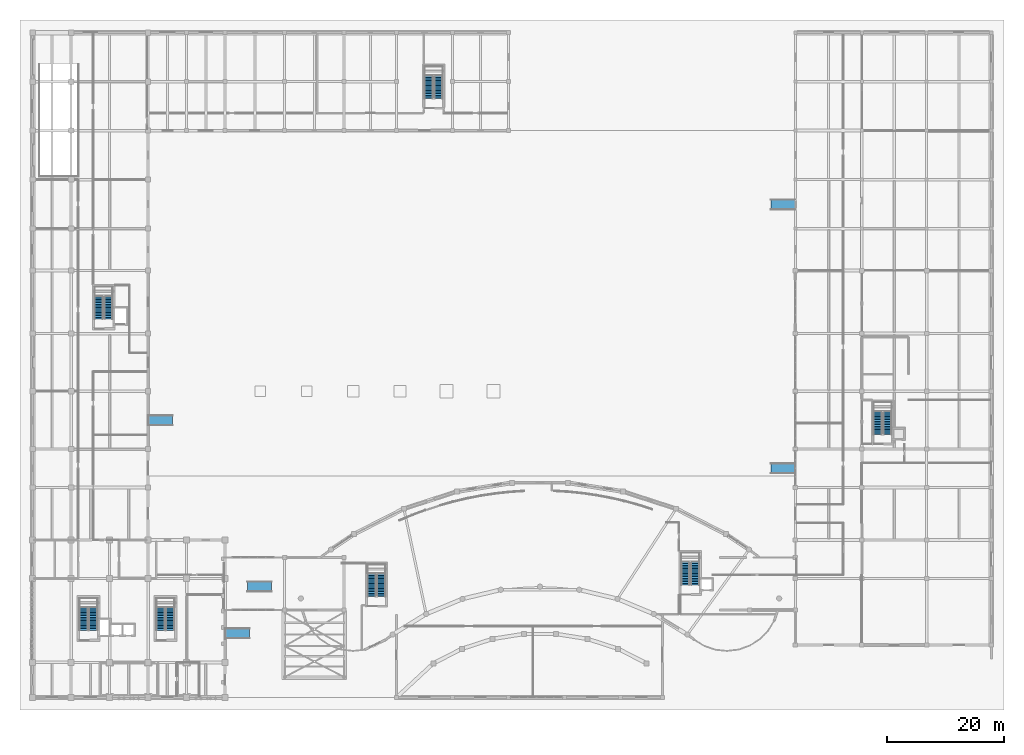
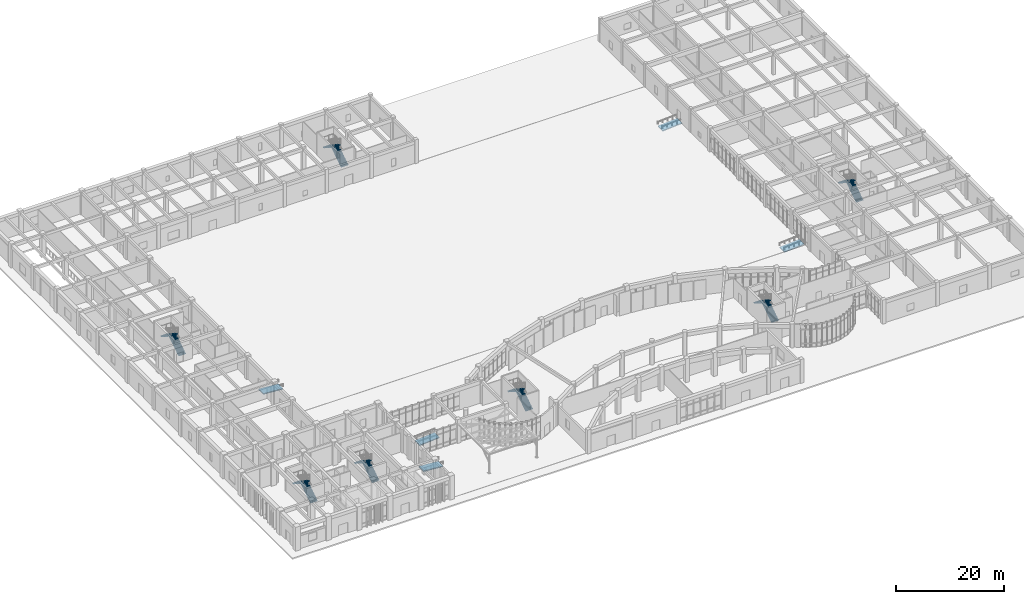
# One storey, part 59 of 70: 14 stair flights, 5 ramp flights, 12 elements without a shape of their own.
"""IFC4 building model written with IfcOpenShell, lengths in metres."""

from ifc_helpers import new_model, si_unit, direction, frame, origin, place, context, subcontext, project, spatial, polyline, outline, extrude, material, layer, layer_set, type_object, element, aggregate, save


model = new_model("IFC4")

# Units and contexts
model_context = context("Model", 3, precision=1e-05, world=origin(), true_north=direction((0.0, 1.0)))
body_context = subcontext(model_context, "Body", "Model", "MODEL_VIEW")
ifc_project = project(units=[si_unit("LENGTHUNIT", "METRE"), si_unit("AREAUNIT", "SQUARE_METRE"), si_unit("VOLUMEUNIT", "CUBIC_METRE"), si_unit("PLANEANGLEUNIT", "RADIAN"), si_unit("MASSUNIT", "GRAM", prefix="KILO")], contexts=[model_context])

# Site, building, storey
site_placement = place(None, origin())
site = spatial("IfcSite", under=ifc_project, at=site_placement, CompositionType="ELEMENT")
building_placement = place(site_placement, origin())
building = spatial("IfcBuilding", under=site, at=building_placement, Name="Miralva Faculty of Natural Sciences", CompositionType="ELEMENT")
storey_placement = place(building_placement, origin())
storey = spatial("IfcBuildingStorey", under=building, at=storey_placement, Name="L00", CompositionType="ELEMENT", Elevation=0.0)

# Stair, stair flights
ifc_material = material(Name="Concrete C40/50", Category="concrete")
stair_type = type_object("IfcStairType", Name="ST-CORE-540", PredefinedType="HALF_TURN_STAIR", material=ifc_material)
stair_1_placement = place(storey_placement, origin())
stair_1 = element("IfcStair", 1, at=stair_1_placement, inside=storey, type_object=stair_type, Name="Exit Stair Core C1 (ST-01) L00", PredefinedType="HALF_TURN_STAIR")
ifc_layer_1 = layer(ifc_material, 0.159912109375, Name="SFL-160-168")
ifc_layer_set_1 = layer_set([ifc_layer_1], Name="Concrete C40/50")
stair_flight_type = type_object("IfcStairFlightType", Name="SFL-160-168", PredefinedType="STRAIGHT", material=ifc_layer_set_1)
stair_flight_1_placement = place(storey_placement, frame((13.39990234375, 14.5, 0.0), z_axis=(0.0, 0.0, 1.0), x_axis=(0.0, 1.0, 0.0)))
stair_flight_1 = element("IfcStairFlight", 2, at=stair_flight_1_placement, type_object=stair_flight_type, Name="ST-01 flight 1", NumberOfRisers=15, NumberOfTreads=14, PredefinedType="STRAIGHT", RiserHeight=0.18, TreadLength=0.28, context=body_context, shape_type="SweptSolid", body=[
    extrude(outline(polyline([(0.0, 0.0), (0.0, 0.179931640625), (0.280029296875, 0.179931640625), (0.280029296875, 0.360107421875), (0.56005859375, 0.360107421875), (0.56005859375, 0.5400390625), (0.840087890625, 0.5400390625), (0.840087890625, 0.719970703125), (1.1201171875, 0.719970703125), (1.1201171875, 0.89990234375), (1.39990234375, 0.89990234375), (1.39990234375, 1.080078125), (1.679931640625, 1.080078125), (1.679931640625, 1.260009765625), (1.9599609375, 1.260009765625), (1.9599609375, 1.43994140625), (2.239990234375, 1.43994140625), (2.239990234375, 1.6201171875), (2.52001953125, 1.6201171875), (2.52001953125, 1.800048828125), (2.800048828125, 1.800048828125), (2.800048828125, 1.97998046875), (3.080078125, 1.97998046875), (3.080078125, 2.159912109375), (3.360107421875, 2.159912109375), (3.360107421875, 2.340087890625), (3.639892578125, 2.340087890625), (3.639892578125, 2.52001953125), (3.919921875, 2.52001953125), (3.919921875, 2.699951171875), (3.919921875, 2.341796875), (0.277099609375, 0.0), (0.0, 0.0)])), frame((0.0, 0.75, 0.0), z_axis=(0.0, -1.0, 0.0), x_axis=(1.0, 0.0, 0.0)), (0.0, 0.0, 1.0), 1.5),
])
stair_flight_2_placement = place(storey_placement, frame((11.75, 18.419921875, 2.699951171875), z_axis=(0.0, 0.0, 1.0), x_axis=(0.0, -1.0, 0.0)))
stair_flight_2 = element("IfcStairFlight", 3, at=stair_flight_2_placement, type_object=stair_flight_type, Name="ST-01 flight 2", NumberOfRisers=15, NumberOfTreads=14, PredefinedType="STRAIGHT", RiserHeight=0.18, TreadLength=0.28, context=body_context, shape_type="SweptSolid", body=[
    extrude(outline(polyline([(0.0, 0.0), (0.0, 0.179931640625), (0.280029296875, 0.179931640625), (0.280029296875, 0.360107421875), (0.56005859375, 0.360107421875), (0.56005859375, 0.5400390625), (0.840087890625, 0.5400390625), (0.840087890625, 0.719970703125), (1.1201171875, 0.719970703125), (1.1201171875, 0.89990234375), (1.39990234375, 0.89990234375), (1.39990234375, 1.080078125), (1.679931640625, 1.080078125), (1.679931640625, 1.260009765625), (1.9599609375, 1.260009765625), (1.9599609375, 1.43994140625), (2.239990234375, 1.43994140625), (2.239990234375, 1.6201171875), (2.52001953125, 1.6201171875), (2.52001953125, 1.800048828125), (2.800048828125, 1.800048828125), (2.800048828125, 1.97998046875), (3.080078125, 1.97998046875), (3.080078125, 2.159912109375), (3.360107421875, 2.159912109375), (3.360107421875, 2.340087890625), (3.639892578125, 2.340087890625), (3.639892578125, 2.52001953125), (3.919921875, 2.52001953125), (3.919921875, 2.699951171875), (3.919921875, 2.341796875), (0.277099609375, 0.0), (0.0, 0.0)])), frame((0.0, 0.75, 0.0), z_axis=(0.0, -1.0, 0.0), x_axis=(1.0, 0.0, 0.0)), (0.0, 0.0, 1.0), 1.5),
])
aggregate(stair_1, [stair_flight_1, stair_flight_2])

stair_2_placement = place(storey_placement, origin())
stair_2 = element("IfcStair", 4, at=stair_2_placement, inside=storey, type_object=stair_type, Name="Exit Stair Core C1B (ST-01) L00", PredefinedType="HALF_TURN_STAIR")
stair_flight_3_placement = place(storey_placement, frame((26.60009765625, 14.5, 0.0), z_axis=(0.0, 0.0, 1.0), x_axis=(0.0, 1.0, 0.0)))
stair_flight_3 = element("IfcStairFlight", 5, at=stair_flight_3_placement, type_object=stair_flight_type, Name="ST-01 flight 1", NumberOfRisers=15, NumberOfTreads=14, PredefinedType="STRAIGHT", RiserHeight=0.18, TreadLength=0.28, context=body_context, shape_type="SweptSolid", body=[
    extrude(outline(polyline([(0.0, 0.0), (0.0, 0.179931640625), (0.280029296875, 0.179931640625), (0.280029296875, 0.360107421875), (0.56005859375, 0.360107421875), (0.56005859375, 0.5400390625), (0.840087890625, 0.5400390625), (0.840087890625, 0.719970703125), (1.1201171875, 0.719970703125), (1.1201171875, 0.89990234375), (1.39990234375, 0.89990234375), (1.39990234375, 1.080078125), (1.679931640625, 1.080078125), (1.679931640625, 1.260009765625), (1.9599609375, 1.260009765625), (1.9599609375, 1.43994140625), (2.239990234375, 1.43994140625), (2.239990234375, 1.6201171875), (2.52001953125, 1.6201171875), (2.52001953125, 1.800048828125), (2.800048828125, 1.800048828125), (2.800048828125, 1.97998046875), (3.080078125, 1.97998046875), (3.080078125, 2.159912109375), (3.360107421875, 2.159912109375), (3.360107421875, 2.340087890625), (3.639892578125, 2.340087890625), (3.639892578125, 2.52001953125), (3.919921875, 2.52001953125), (3.919921875, 2.699951171875), (3.919921875, 2.341796875), (0.277099609375, 0.0), (0.0, 0.0)])), frame((0.0, 0.75, 0.0), z_axis=(0.0, -1.0, 0.0), x_axis=(1.0, 0.0, 0.0)), (0.0, 0.0, 1.0), 1.5),
])
stair_flight_4_placement = place(storey_placement, frame((24.949951171875, 18.419921875, 2.699951171875), z_axis=(0.0, 0.0, 1.0), x_axis=(0.0, -1.0, 0.0)))
stair_flight_4 = element("IfcStairFlight", 6, at=stair_flight_4_placement, type_object=stair_flight_type, Name="ST-01 flight 2", NumberOfRisers=15, NumberOfTreads=14, PredefinedType="STRAIGHT", RiserHeight=0.18, TreadLength=0.28, context=body_context, shape_type="SweptSolid", body=[
    extrude(outline(polyline([(0.0, 0.0), (0.0, 0.179931640625), (0.280029296875, 0.179931640625), (0.280029296875, 0.360107421875), (0.56005859375, 0.360107421875), (0.56005859375, 0.5400390625), (0.840087890625, 0.5400390625), (0.840087890625, 0.719970703125), (1.1201171875, 0.719970703125), (1.1201171875, 0.89990234375), (1.39990234375, 0.89990234375), (1.39990234375, 1.080078125), (1.679931640625, 1.080078125), (1.679931640625, 1.260009765625), (1.9599609375, 1.260009765625), (1.9599609375, 1.43994140625), (2.239990234375, 1.43994140625), (2.239990234375, 1.6201171875), (2.52001953125, 1.6201171875), (2.52001953125, 1.800048828125), (2.800048828125, 1.800048828125), (2.800048828125, 1.97998046875), (3.080078125, 1.97998046875), (3.080078125, 2.159912109375), (3.360107421875, 2.159912109375), (3.360107421875, 2.340087890625), (3.639892578125, 2.340087890625), (3.639892578125, 2.52001953125), (3.919921875, 2.52001953125), (3.919921875, 2.699951171875), (3.919921875, 2.341796875), (0.277099609375, 0.0), (0.0, 0.0)])), frame((0.0, 0.75, 0.0), z_axis=(0.0, -1.0, 0.0), x_axis=(1.0, 0.0, 0.0)), (0.0, 0.0, 1.0), 1.5),
])
aggregate(stair_2, [stair_flight_3, stair_flight_4])

stair_3_placement = place(storey_placement, origin())
stair_3 = element("IfcStair", 7, at=stair_3_placement, inside=storey, type_object=stair_type, Name="Exit Stair Core C2 (ST-01) L00", PredefinedType="HALF_TURN_STAIR")
stair_flight_5_placement = place(storey_placement, frame((16.0, 67.89990234375, 0.0), z_axis=(0.0, 0.0, 1.0), x_axis=(0.0, 1.0, 0.0)))
stair_flight_5 = element("IfcStairFlight", 8, at=stair_flight_5_placement, type_object=stair_flight_type, Name="ST-01 flight 1", NumberOfRisers=15, NumberOfTreads=14, PredefinedType="STRAIGHT", RiserHeight=0.18, TreadLength=0.28, context=body_context, shape_type="SweptSolid", body=[
    extrude(outline(polyline([(0.0, 0.0), (0.0, 0.179931640625), (0.280029296875, 0.179931640625), (0.280029296875, 0.360107421875), (0.56005859375, 0.360107421875), (0.56005859375, 0.5400390625), (0.840087890625, 0.5400390625), (0.840087890625, 0.719970703125), (1.1201171875, 0.719970703125), (1.1201171875, 0.89990234375), (1.39990234375, 0.89990234375), (1.39990234375, 1.080078125), (1.679931640625, 1.080078125), (1.679931640625, 1.260009765625), (1.9599609375, 1.260009765625), (1.9599609375, 1.43994140625), (2.239990234375, 1.43994140625), (2.239990234375, 1.6201171875), (2.52001953125, 1.6201171875), (2.52001953125, 1.800048828125), (2.800048828125, 1.800048828125), (2.800048828125, 1.97998046875), (3.080078125, 1.97998046875), (3.080078125, 2.159912109375), (3.360107421875, 2.159912109375), (3.360107421875, 2.340087890625), (3.639892578125, 2.340087890625), (3.639892578125, 2.52001953125), (3.919921875, 2.52001953125), (3.919921875, 2.699951171875), (3.919921875, 2.341796875), (0.277099609375, 0.0), (0.0, 0.0)])), frame((0.0, 0.75, 0.0), z_axis=(0.0, -1.0, 0.0), x_axis=(1.0, 0.0, 0.0)), (0.0, 0.0, 1.0), 1.5),
])
stair_flight_6_placement = place(storey_placement, frame((14.35009765625, 71.820068359375, 2.699951171875), z_axis=(0.0, 0.0, 1.0), x_axis=(0.0, -1.0, 0.0)))
stair_flight_6 = element("IfcStairFlight", 9, at=stair_flight_6_placement, type_object=stair_flight_type, Name="ST-01 flight 2", NumberOfRisers=15, NumberOfTreads=14, PredefinedType="STRAIGHT", RiserHeight=0.18, TreadLength=0.28, context=body_context, shape_type="SweptSolid", body=[
    extrude(outline(polyline([(0.0, 0.0), (0.0, 0.179931640625), (0.280029296875, 0.179931640625), (0.280029296875, 0.360107421875), (0.56005859375, 0.360107421875), (0.56005859375, 0.5400390625), (0.840087890625, 0.5400390625), (0.840087890625, 0.719970703125), (1.1201171875, 0.719970703125), (1.1201171875, 0.89990234375), (1.39990234375, 0.89990234375), (1.39990234375, 1.080078125), (1.679931640625, 1.080078125), (1.679931640625, 1.260009765625), (1.9599609375, 1.260009765625), (1.9599609375, 1.43994140625), (2.239990234375, 1.43994140625), (2.239990234375, 1.6201171875), (2.52001953125, 1.6201171875), (2.52001953125, 1.800048828125), (2.800048828125, 1.800048828125), (2.800048828125, 1.97998046875), (3.080078125, 1.97998046875), (3.080078125, 2.159912109375), (3.360107421875, 2.159912109375), (3.360107421875, 2.340087890625), (3.639892578125, 2.340087890625), (3.639892578125, 2.52001953125), (3.919921875, 2.52001953125), (3.919921875, 2.699951171875), (3.919921875, 2.341796875), (0.277099609375, 0.0), (0.0, 0.0)])), frame((0.0, 0.75, 0.0), z_axis=(0.0, -1.0, 0.0), x_axis=(1.0, 0.0, 0.0)), (0.0, 0.0, 1.0), 1.5),
])
aggregate(stair_3, [stair_flight_5, stair_flight_6])

stair_4_placement = place(storey_placement, origin())
stair_4 = element("IfcStair", 10, at=stair_4_placement, inside=storey, type_object=stair_type, Name="Exit Stair Core C3 (ST-01) L00", PredefinedType="HALF_TURN_STAIR")
stair_flight_7_placement = place(storey_placement, frame((116.60009765625, 22.300048828125, 0.0), z_axis=(0.0, 0.0, 1.0), x_axis=(0.0, 1.0, 0.0)))
stair_flight_7 = element("IfcStairFlight", 11, at=stair_flight_7_placement, type_object=stair_flight_type, Name="ST-01 flight 1", NumberOfRisers=15, NumberOfTreads=14, PredefinedType="STRAIGHT", RiserHeight=0.18, TreadLength=0.28, context=body_context, shape_type="SweptSolid", body=[
    extrude(outline(polyline([(0.0, 0.0), (0.0, 0.179931640625), (0.280029296875, 0.179931640625), (0.280029296875, 0.360107421875), (0.56005859375, 0.360107421875), (0.56005859375, 0.5400390625), (0.840087890625, 0.5400390625), (0.840087890625, 0.719970703125), (1.1201171875, 0.719970703125), (1.1201171875, 0.89990234375), (1.39990234375, 0.89990234375), (1.39990234375, 1.080078125), (1.679931640625, 1.080078125), (1.679931640625, 1.260009765625), (1.9599609375, 1.260009765625), (1.9599609375, 1.43994140625), (2.239990234375, 1.43994140625), (2.239990234375, 1.6201171875), (2.52001953125, 1.6201171875), (2.52001953125, 1.800048828125), (2.800048828125, 1.800048828125), (2.800048828125, 1.97998046875), (3.080078125, 1.97998046875), (3.080078125, 2.159912109375), (3.360107421875, 2.159912109375), (3.360107421875, 2.340087890625), (3.639892578125, 2.340087890625), (3.639892578125, 2.52001953125), (3.919921875, 2.52001953125), (3.919921875, 2.699951171875), (3.919921875, 2.341796875), (0.277099609375, 0.0), (0.0, 0.0)])), frame((0.0, 0.75, 0.0), z_axis=(0.0, -1.0, 0.0), x_axis=(1.0, 0.0, 0.0)), (0.0, 0.0, 1.0), 1.5),
])
stair_flight_8_placement = place(storey_placement, frame((114.949951171875, 26.219970703125, 2.699951171875), z_axis=(0.0, 0.0, 1.0), x_axis=(0.0, -1.0, 0.0)))
stair_flight_8 = element("IfcStairFlight", 12, at=stair_flight_8_placement, type_object=stair_flight_type, Name="ST-01 flight 2", NumberOfRisers=15, NumberOfTreads=14, PredefinedType="STRAIGHT", RiserHeight=0.18, TreadLength=0.28, context=body_context, shape_type="SweptSolid", body=[
    extrude(outline(polyline([(0.0, 0.0), (0.0, 0.179931640625), (0.280029296875, 0.179931640625), (0.280029296875, 0.360107421875), (0.56005859375, 0.360107421875), (0.56005859375, 0.5400390625), (0.840087890625, 0.5400390625), (0.840087890625, 0.719970703125), (1.1201171875, 0.719970703125), (1.1201171875, 0.89990234375), (1.39990234375, 0.89990234375), (1.39990234375, 1.080078125), (1.679931640625, 1.080078125), (1.679931640625, 1.260009765625), (1.9599609375, 1.260009765625), (1.9599609375, 1.43994140625), (2.239990234375, 1.43994140625), (2.239990234375, 1.6201171875), (2.52001953125, 1.6201171875), (2.52001953125, 1.800048828125), (2.800048828125, 1.800048828125), (2.800048828125, 1.97998046875), (3.080078125, 1.97998046875), (3.080078125, 2.159912109375), (3.360107421875, 2.159912109375), (3.360107421875, 2.340087890625), (3.639892578125, 2.340087890625), (3.639892578125, 2.52001953125), (3.919921875, 2.52001953125), (3.919921875, 2.699951171875), (3.919921875, 2.341796875), (0.277099609375, 0.0), (0.0, 0.0)])), frame((0.0, 0.75, 0.0), z_axis=(0.0, -1.0, 0.0), x_axis=(1.0, 0.0, 0.0)), (0.0, 0.0, 1.0), 1.5),
])
aggregate(stair_4, [stair_flight_7, stair_flight_8])

stair_5_placement = place(storey_placement, origin())
stair_5 = element("IfcStair", 13, at=stair_5_placement, inside=storey, type_object=stair_type, Name="Exit Stair Core C4 (ST-01) L00", PredefinedType="HALF_TURN_STAIR")
stair_flight_9_placement = place(storey_placement, frame((149.60009765625, 48.10009765625, 0.0), z_axis=(0.0, 0.0, 1.0), x_axis=(0.0, 1.0, 0.0)))
stair_flight_9 = element("IfcStairFlight", 14, at=stair_flight_9_placement, type_object=stair_flight_type, Name="ST-01 flight 1", NumberOfRisers=15, NumberOfTreads=14, PredefinedType="STRAIGHT", RiserHeight=0.18, TreadLength=0.28, context=body_context, shape_type="SweptSolid", body=[
    extrude(outline(polyline([(0.0, 0.0), (0.0, 0.179931640625), (0.280029296875, 0.179931640625), (0.280029296875, 0.360107421875), (0.56005859375, 0.360107421875), (0.56005859375, 0.5400390625), (0.840087890625, 0.5400390625), (0.840087890625, 0.719970703125), (1.1201171875, 0.719970703125), (1.1201171875, 0.89990234375), (1.39990234375, 0.89990234375), (1.39990234375, 1.080078125), (1.679931640625, 1.080078125), (1.679931640625, 1.260009765625), (1.9599609375, 1.260009765625), (1.9599609375, 1.43994140625), (2.239990234375, 1.43994140625), (2.239990234375, 1.6201171875), (2.52001953125, 1.6201171875), (2.52001953125, 1.800048828125), (2.800048828125, 1.800048828125), (2.800048828125, 1.97998046875), (3.080078125, 1.97998046875), (3.080078125, 2.159912109375), (3.360107421875, 2.159912109375), (3.360107421875, 2.340087890625), (3.639892578125, 2.340087890625), (3.639892578125, 2.52001953125), (3.919921875, 2.52001953125), (3.919921875, 2.699951171875), (3.919921875, 2.341796875), (0.277099609375, 0.0), (0.0, 0.0)])), frame((0.0, 0.75, 0.0), z_axis=(0.0, -1.0, 0.0), x_axis=(1.0, 0.0, 0.0)), (0.0, 0.0, 1.0), 1.5),
])
stair_flight_10_placement = place(storey_placement, frame((147.949951171875, 52.02001953125, 2.699951171875), z_axis=(0.0, 0.0, 1.0), x_axis=(0.0, -1.0, 0.0)))
stair_flight_10 = element("IfcStairFlight", 15, at=stair_flight_10_placement, type_object=stair_flight_type, Name="ST-01 flight 2", NumberOfRisers=15, NumberOfTreads=14, PredefinedType="STRAIGHT", RiserHeight=0.18, TreadLength=0.28, context=body_context, shape_type="SweptSolid", body=[
    extrude(outline(polyline([(0.0, 0.0), (0.0, 0.179931640625), (0.280029296875, 0.179931640625), (0.280029296875, 0.360107421875), (0.56005859375, 0.360107421875), (0.56005859375, 0.5400390625), (0.840087890625, 0.5400390625), (0.840087890625, 0.719970703125), (1.1201171875, 0.719970703125), (1.1201171875, 0.89990234375), (1.39990234375, 0.89990234375), (1.39990234375, 1.080078125), (1.679931640625, 1.080078125), (1.679931640625, 1.260009765625), (1.9599609375, 1.260009765625), (1.9599609375, 1.43994140625), (2.239990234375, 1.43994140625), (2.239990234375, 1.6201171875), (2.52001953125, 1.6201171875), (2.52001953125, 1.800048828125), (2.800048828125, 1.800048828125), (2.800048828125, 1.97998046875), (3.080078125, 1.97998046875), (3.080078125, 2.159912109375), (3.360107421875, 2.159912109375), (3.360107421875, 2.340087890625), (3.639892578125, 2.340087890625), (3.639892578125, 2.52001953125), (3.919921875, 2.52001953125), (3.919921875, 2.699951171875), (3.919921875, 2.341796875), (0.277099609375, 0.0), (0.0, 0.0)])), frame((0.0, 0.75, 0.0), z_axis=(0.0, -1.0, 0.0), x_axis=(1.0, 0.0, 0.0)), (0.0, 0.0, 1.0), 1.5),
])
aggregate(stair_5, [stair_flight_9, stair_flight_10])

stair_6_placement = place(storey_placement, origin())
stair_6 = element("IfcStair", 16, at=stair_6_placement, inside=storey, type_object=stair_type, Name="Exit Stair Core C5 (ST-01) L00", PredefinedType="HALF_TURN_STAIR")
stair_flight_11_placement = place(storey_placement, frame((72.60009765625, 105.699951171875, 0.0), z_axis=(0.0, 0.0, 1.0), x_axis=(0.0, 1.0, 0.0)))
stair_flight_11 = element("IfcStairFlight", 17, at=stair_flight_11_placement, type_object=stair_flight_type, Name="ST-01 flight 1", NumberOfRisers=15, NumberOfTreads=14, PredefinedType="STRAIGHT", RiserHeight=0.18, TreadLength=0.28, context=body_context, shape_type="SweptSolid", body=[
    extrude(outline(polyline([(0.0, 0.0), (0.0, 0.179931640625), (0.280029296875, 0.179931640625), (0.280029296875, 0.360107421875), (0.56005859375, 0.360107421875), (0.56005859375, 0.5400390625), (0.840087890625, 0.5400390625), (0.840087890625, 0.719970703125), (1.1201171875, 0.719970703125), (1.1201171875, 0.89990234375), (1.39990234375, 0.89990234375), (1.39990234375, 1.080078125), (1.679931640625, 1.080078125), (1.679931640625, 1.260009765625), (1.9599609375, 1.260009765625), (1.9599609375, 1.43994140625), (2.239990234375, 1.43994140625), (2.239990234375, 1.6201171875), (2.52001953125, 1.6201171875), (2.52001953125, 1.800048828125), (2.800048828125, 1.800048828125), (2.800048828125, 1.97998046875), (3.080078125, 1.97998046875), (3.080078125, 2.159912109375), (3.360107421875, 2.159912109375), (3.360107421875, 2.340087890625), (3.639892578125, 2.340087890625), (3.639892578125, 2.52001953125), (3.919921875, 2.52001953125), (3.919921875, 2.699951171875), (3.919921875, 2.341796875), (0.277099609375, 0.0), (0.0, 0.0)])), frame((0.0, 0.75, 0.0), z_axis=(0.0, -1.0, 0.0), x_axis=(1.0, 0.0, 0.0)), (0.0, 0.0, 1.0), 1.5),
])
stair_flight_12_placement = place(storey_placement, frame((70.949951171875, 109.6201171875, 2.699951171875), z_axis=(0.0, 0.0, 1.0), x_axis=(0.0, -1.0, 0.0)))
stair_flight_12 = element("IfcStairFlight", 18, at=stair_flight_12_placement, type_object=stair_flight_type, Name="ST-01 flight 2", NumberOfRisers=15, NumberOfTreads=14, PredefinedType="STRAIGHT", RiserHeight=0.18, TreadLength=0.28, context=body_context, shape_type="SweptSolid", body=[
    extrude(outline(polyline([(0.0, 0.0), (0.0, 0.179931640625), (0.280029296875, 0.179931640625), (0.280029296875, 0.360107421875), (0.56005859375, 0.360107421875), (0.56005859375, 0.5400390625), (0.840087890625, 0.5400390625), (0.840087890625, 0.719970703125), (1.1201171875, 0.719970703125), (1.1201171875, 0.89990234375), (1.39990234375, 0.89990234375), (1.39990234375, 1.080078125), (1.679931640625, 1.080078125), (1.679931640625, 1.260009765625), (1.9599609375, 1.260009765625), (1.9599609375, 1.43994140625), (2.239990234375, 1.43994140625), (2.239990234375, 1.6201171875), (2.52001953125, 1.6201171875), (2.52001953125, 1.800048828125), (2.800048828125, 1.800048828125), (2.800048828125, 1.97998046875), (3.080078125, 1.97998046875), (3.080078125, 2.159912109375), (3.360107421875, 2.159912109375), (3.360107421875, 2.340087890625), (3.639892578125, 2.340087890625), (3.639892578125, 2.52001953125), (3.919921875, 2.52001953125), (3.919921875, 2.699951171875), (3.919921875, 2.341796875), (0.277099609375, 0.0), (0.0, 0.0)])), frame((0.0, 0.75, 0.0), z_axis=(0.0, -1.0, 0.0), x_axis=(1.0, 0.0, 0.0)), (0.0, 0.0, 1.0), 1.5),
])
aggregate(stair_6, [stair_flight_11, stair_flight_12])

stair_7_placement = place(storey_placement, origin())
stair_7 = element("IfcStair", 19, at=stair_7_placement, inside=storey, type_object=stair_type, Name="Exit Stair Core C6 (ST-01) L00", PredefinedType="HALF_TURN_STAIR")
stair_flight_13_placement = place(storey_placement, frame((62.800048828125, 20.300048828125, 0.0), z_axis=(0.0, 0.0, 1.0), x_axis=(0.0, 1.0, 0.0)))
stair_flight_13 = element("IfcStairFlight", 20, at=stair_flight_13_placement, type_object=stair_flight_type, Name="ST-01 flight 1", NumberOfRisers=15, NumberOfTreads=14, PredefinedType="STRAIGHT", RiserHeight=0.18, TreadLength=0.28, context=body_context, shape_type="SweptSolid", body=[
    extrude(outline(polyline([(0.0, 0.0), (0.0, 0.179931640625), (0.280029296875, 0.179931640625), (0.280029296875, 0.360107421875), (0.56005859375, 0.360107421875), (0.56005859375, 0.5400390625), (0.840087890625, 0.5400390625), (0.840087890625, 0.719970703125), (1.1201171875, 0.719970703125), (1.1201171875, 0.89990234375), (1.39990234375, 0.89990234375), (1.39990234375, 1.080078125), (1.679931640625, 1.080078125), (1.679931640625, 1.260009765625), (1.9599609375, 1.260009765625), (1.9599609375, 1.43994140625), (2.239990234375, 1.43994140625), (2.239990234375, 1.6201171875), (2.52001953125, 1.6201171875), (2.52001953125, 1.800048828125), (2.800048828125, 1.800048828125), (2.800048828125, 1.97998046875), (3.080078125, 1.97998046875), (3.080078125, 2.159912109375), (3.360107421875, 2.159912109375), (3.360107421875, 2.340087890625), (3.639892578125, 2.340087890625), (3.639892578125, 2.52001953125), (3.919921875, 2.52001953125), (3.919921875, 2.699951171875), (3.919921875, 2.341796875), (0.277099609375, 0.0), (0.0, 0.0)])), frame((0.0, 0.75, 0.0), z_axis=(0.0, -1.0, 0.0), x_axis=(1.0, 0.0, 0.0)), (0.0, 0.0, 1.0), 1.5),
])
stair_flight_14_placement = place(storey_placement, frame((61.14990234375, 24.219970703125, 2.699951171875), z_axis=(0.0, 0.0, 1.0), x_axis=(0.0, -1.0, 0.0)))
stair_flight_14 = element("IfcStairFlight", 21, at=stair_flight_14_placement, type_object=stair_flight_type, Name="ST-01 flight 2", NumberOfRisers=15, NumberOfTreads=14, PredefinedType="STRAIGHT", RiserHeight=0.18, TreadLength=0.28, context=body_context, shape_type="SweptSolid", body=[
    extrude(outline(polyline([(0.0, 0.0), (0.0, 0.179931640625), (0.280029296875, 0.179931640625), (0.280029296875, 0.360107421875), (0.56005859375, 0.360107421875), (0.56005859375, 0.5400390625), (0.840087890625, 0.5400390625), (0.840087890625, 0.719970703125), (1.1201171875, 0.719970703125), (1.1201171875, 0.89990234375), (1.39990234375, 0.89990234375), (1.39990234375, 1.080078125), (1.679931640625, 1.080078125), (1.679931640625, 1.260009765625), (1.9599609375, 1.260009765625), (1.9599609375, 1.43994140625), (2.239990234375, 1.43994140625), (2.239990234375, 1.6201171875), (2.52001953125, 1.6201171875), (2.52001953125, 1.800048828125), (2.800048828125, 1.800048828125), (2.800048828125, 1.97998046875), (3.080078125, 1.97998046875), (3.080078125, 2.159912109375), (3.360107421875, 2.159912109375), (3.360107421875, 2.340087890625), (3.639892578125, 2.340087890625), (3.639892578125, 2.52001953125), (3.919921875, 2.52001953125), (3.919921875, 2.699951171875), (3.919921875, 2.341796875), (0.277099609375, 0.0), (0.0, 0.0)])), frame((0.0, 0.75, 0.0), z_axis=(0.0, -1.0, 0.0), x_axis=(1.0, 0.0, 0.0)), (0.0, 0.0, 1.0), 1.5),
])
aggregate(stair_7, [stair_flight_13, stair_flight_14])

# Ramp, ramp flight
ifc_layer_2 = layer(ifc_material, 0.219970703125, Name="RMP-PED-01")
ifc_layer_set_2 = layer_set([ifc_layer_2], Name="Concrete C40/50")
ramp_type = type_object("IfcRampType", Name="RMP-PED-01", PredefinedType="STRAIGHT_RUN_RAMP", material=ifc_layer_set_2)
ramp_1_placement = place(storey_placement, origin())
ramp_1 = element("IfcRamp", 22, at=ramp_1_placement, inside=storey, type_object=ramp_type, Name="Accessible pedestrian ramp RMP-PED-01", PredefinedType="STRAIGHT_RUN_RAMP")
ifc_layer_3 = layer(ifc_material, 0.219970703125, Name="RFL-PED-01")
ifc_layer_set_3 = layer_set([ifc_layer_3], Name="Concrete C40/50")
ramp_flight_type = type_object("IfcRampFlightType", Name="RFL-PED-01", PredefinedType="STRAIGHT", material=ifc_layer_set_3)
ramp_flight_1_placement = place(storey_placement, frame((40.199951171875, 14.0, -0.300048828125), z_axis=(0.0, 0.0, 1.0), x_axis=(-1.0, 0.0, 0.0)))
ramp_flight_1 = element("IfcRampFlight", 23, at=ramp_flight_1_placement, type_object=ramp_flight_type, Name="Accessible pedestrian ramp flight RMP-PED-01", PredefinedType="STRAIGHT", context=body_context, shape_type="SweptSolid", body=[
    extrude(outline(polyline([(0.0, -0.219970703125), (4.199951171875, 0.080078125), (4.199951171875, 0.300048828125), (0.0, 0.0), (0.0, -0.219970703125)])), frame((0.0, 0.89990234375, 0.0), z_axis=(0.0, -1.0, 0.0), x_axis=(1.0, 0.0, 0.0)), (0.0, 0.0, 1.0), 1.800048828125),
])
aggregate(ramp_1, [ramp_flight_1])

ramp_2_placement = place(storey_placement, origin())
ramp_2 = element("IfcRamp", 24, at=ramp_2_placement, inside=storey, type_object=ramp_type, Name="Accessible pedestrian ramp RMP-PED-02", PredefinedType="STRAIGHT_RUN_RAMP")
ramp_flight_2_placement = place(storey_placement, frame((39.800048828125, 22.0, -0.300048828125), z_axis=(0.0, 0.0, 1.0), x_axis=(1.0, 0.0, 0.0)))
ramp_flight_2 = element("IfcRampFlight", 25, at=ramp_flight_2_placement, type_object=ramp_flight_type, Name="Accessible pedestrian ramp flight RMP-PED-02", PredefinedType="STRAIGHT", context=body_context, shape_type="SweptSolid", body=[
    extrude(outline(polyline([(0.0, -0.219970703125), (4.199951171875, 0.080078125), (4.199951171875, 0.300048828125), (0.0, 0.0), (0.0, -0.219970703125)])), frame((0.0, 0.89990234375, 0.0), z_axis=(0.0, -1.0, 0.0), x_axis=(1.0, 0.0, 0.0)), (0.0, 0.0, 1.0), 1.800048828125),
])
aggregate(ramp_2, [ramp_flight_2])

ramp_3_placement = place(storey_placement, origin())
ramp_3 = element("IfcRamp", 26, at=ramp_3_placement, inside=storey, type_object=ramp_type, Name="Accessible pedestrian ramp RMP-PED-03", PredefinedType="STRAIGHT_RUN_RAMP")
ramp_flight_3_placement = place(storey_placement, frame((27.0, 50.5, -0.300048828125), z_axis=(0.0, 0.0, 1.0), x_axis=(-1.0, 0.0, 0.0)))
ramp_flight_3 = element("IfcRampFlight", 27, at=ramp_flight_3_placement, type_object=ramp_flight_type, Name="Accessible pedestrian ramp flight RMP-PED-03", PredefinedType="STRAIGHT", context=body_context, shape_type="SweptSolid", body=[
    extrude(outline(polyline([(0.0, -0.219970703125), (4.199951171875, 0.080078125), (4.199951171875, 0.300048828125), (0.0, 0.0), (0.0, -0.219970703125)])), frame((0.0, 0.89990234375, 0.0), z_axis=(0.0, -1.0, 0.0), x_axis=(1.0, 0.0, 0.0)), (0.0, 0.0, 1.0), 1.800048828125),
])
aggregate(ramp_3, [ramp_flight_3])

ramp_4_placement = place(storey_placement, origin())
ramp_4 = element("IfcRamp", 28, at=ramp_4_placement, inside=storey, type_object=ramp_type, Name="Accessible pedestrian ramp RMP-PED-04", PredefinedType="STRAIGHT_RUN_RAMP")
ramp_flight_4_placement = place(storey_placement, frame((129.60009765625, 42.300048828125, -0.300048828125), z_axis=(0.0, 0.0, 1.0), x_axis=(1.0, 0.0, 0.0)))
ramp_flight_4 = element("IfcRampFlight", 29, at=ramp_flight_4_placement, type_object=ramp_flight_type, Name="Accessible pedestrian ramp flight RMP-PED-04", PredefinedType="STRAIGHT", context=body_context, shape_type="SweptSolid", body=[
    extrude(outline(polyline([(0.0, -0.219970703125), (4.199951171875, 0.080078125), (4.199951171875, 0.300048828125), (0.0, 0.0), (0.0, -0.219970703125)])), frame((0.0, 0.89990234375, 0.0), z_axis=(0.0, -1.0, 0.0), x_axis=(1.0, 0.0, 0.0)), (0.0, 0.0, 1.0), 1.800048828125),
])
aggregate(ramp_4, [ramp_flight_4])

ramp_5_placement = place(storey_placement, origin())
ramp_5 = element("IfcRamp", 30, at=ramp_5_placement, inside=storey, type_object=ramp_type, Name="Accessible pedestrian ramp RMP-PED-05", PredefinedType="STRAIGHT_RUN_RAMP")
ramp_flight_5_placement = place(storey_placement, frame((129.60009765625, 87.5, -0.300048828125), z_axis=(0.0, 0.0, 1.0), x_axis=(1.0, 0.0, 0.0)))
ramp_flight_5 = element("IfcRampFlight", 31, at=ramp_flight_5_placement, type_object=ramp_flight_type, Name="Accessible pedestrian ramp flight RMP-PED-05", PredefinedType="STRAIGHT", context=body_context, shape_type="SweptSolid", body=[
    extrude(outline(polyline([(0.0, -0.219970703125), (4.199951171875, 0.080078125), (4.199951171875, 0.300048828125), (0.0, 0.0), (0.0, -0.219970703125)])), frame((0.0, 0.89990234375, 0.0), z_axis=(0.0, -1.0, 0.0), x_axis=(1.0, 0.0, 0.0)), (0.0, 0.0, 1.0), 1.800048828125),
])
aggregate(ramp_5, [ramp_flight_5])

save(model, "model.ifc")
